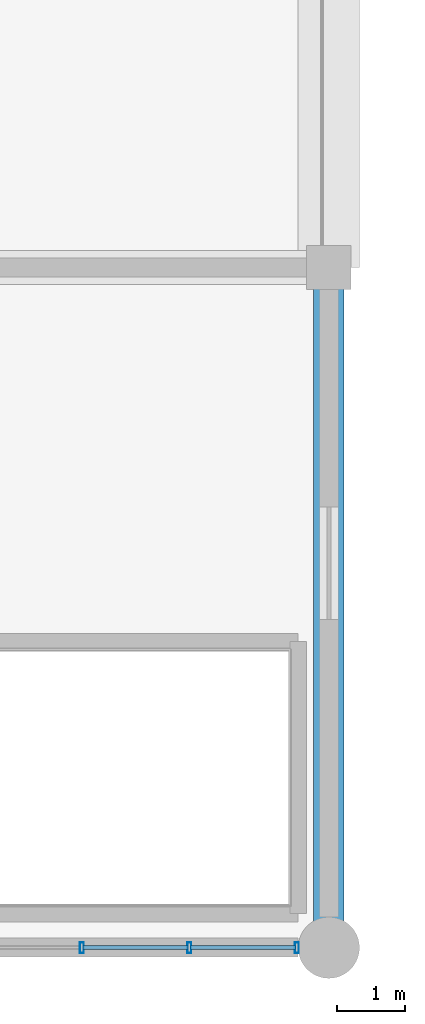
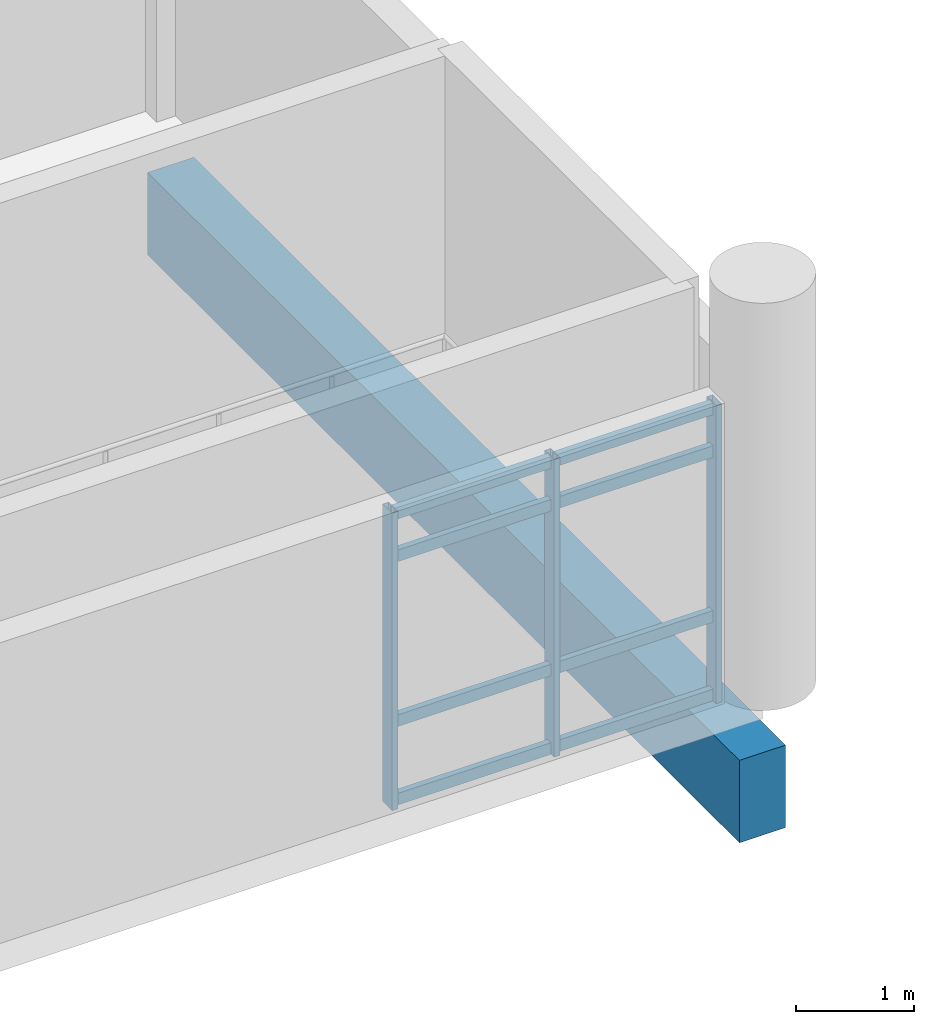
# One storey, part 12 of 111: 11 members, 1 beam, 1 element without a shape of its own.
"""IFC4 building model written with IfcOpenShell, lengths in metres."""

import ifcopenshell
import ifcopenshell.guid

model = None  # the IFC model being written
_history = None  # IfcOwnerHistory: only IFC2X3 demands one
_inside = {}  # id of a spatial element -> (the spatial element, [elements in it])
_under = {}  # id of a project, library or spatial element -> (it, [spatial elements below it])
_declared = {}  # id of a project -> (the project, [libraries it declares])
_typed = {}  # id of a type object -> (the type object, [elements of that type])
_made_of = {}  # id of a material, layer set ... -> (it, [elements and type objects made of it])


def new_model(schema):
    """Start an empty IFC model of exactly this schema.

    Asked for "IFC4X3", IfcOpenShell would pick the latest addendum, in which some entities
    have other attributes; the version numbers below select the first issue.
    IFC2X3 requires an IfcOwnerHistory on every rooted entity: one is made here for all.
    """
    global model, _history
    if schema == "IFC4X3":
        model = ifcopenshell.file(schema_version=(4, 3, 0, 0))
    else:
        model = ifcopenshell.file(schema=schema)
    _inside.clear()
    _under.clear()
    _declared.clear()
    _typed.clear()
    _made_of.clear()
    _history = None
    if model.schema == "IFC2X3":
        org = make("IfcOrganization", Name="unknown")
        user = make(
            "IfcPersonAndOrganization",
            ThePerson=make("IfcPerson", FamilyName="unknown"),
            TheOrganization=org,
        )
        app = make(
            "IfcApplication",
            ApplicationDeveloper=org,
            Version="unknown",
            ApplicationFullName="unknown",
            ApplicationIdentifier="unknown",
        )
        _history = make(
            "IfcOwnerHistory",
            OwningUser=user,
            OwningApplication=app,
            ChangeAction="ADDED",
            CreationDate=0,
        )
    return model


def make(cls, **values):
    """One entity of the class cls with the attributes given. An attribute that is None is left unset."""
    return model.create_entity(
        cls, **{name: value for name, value in values.items() if value is not None}
    )


def rooted(cls, **values):
    """An entity with a GlobalId (a new one), such as an element, a storey or a relation."""
    return make(cls, GlobalId=ifcopenshell.guid.new(), OwnerHistory=_history, **values)


def si_unit(unit_type, name, prefix=None):
    """IfcSIUnit, for example si_unit("LENGTHUNIT", "METRE", prefix="MILLI")."""
    return make("IfcSIUnit", UnitType=unit_type, Prefix=prefix, Name=name)


def assignment(units):
    """IfcUnitAssignment: the units of a project."""
    return None if units is None else make("IfcUnitAssignment", Units=units)


def point(xyz):
    """IfcCartesianPoint."""
    return None if xyz is None else make("IfcCartesianPoint", Coordinates=xyz)


def direction(xyz):
    """IfcDirection."""
    return None if xyz is None else make("IfcDirection", DirectionRatios=xyz)


def frame(location, z_axis=None, x_axis=None):
    """IfcAxis2Placement3D, a coordinate frame: its origin and axes. An axis left out is left unset."""
    return make(
        "IfcAxis2Placement3D",
        Location=point(location),
        Axis=direction(z_axis),
        RefDirection=direction(x_axis),
    )


def frame_2d(location, x_axis=None):
    """IfcAxis2Placement2D, a coordinate frame in the plane: its origin and x axis."""
    return make(
        "IfcAxis2Placement2D", Location=point(location), RefDirection=direction(x_axis)
    )


def origin():
    """The frame at (0, 0, 0) with its axes left unset."""
    return frame((0.0, 0.0, 0.0))


def origin_2d():
    """The frame at (0, 0) in the plane with its x axis left unset."""
    return frame_2d((0.0, 0.0))


def place(relative_to, where):
    """IfcLocalPlacement: puts the frame where relative to a parent placement (None: the world)."""
    return make(
        "IfcLocalPlacement", PlacementRelTo=relative_to, RelativePlacement=where
    )


def context(
    kind, dimensions, precision=None, world=None, true_north=None, identifier=None
):
    """IfcGeometricRepresentationContext, for example the 3D "Model" context."""
    return make(
        "IfcGeometricRepresentationContext",
        ContextIdentifier=identifier,
        ContextType=kind,
        CoordinateSpaceDimension=dimensions,
        Precision=precision,
        WorldCoordinateSystem=world,
        TrueNorth=true_north,
    )


def subcontext(parent, identifier, kind, view, scale=None):
    """IfcGeometricRepresentationSubContext, for example "Body" below "Model"."""
    return make(
        "IfcGeometricRepresentationSubContext",
        ContextIdentifier=identifier,
        ContextType=kind,
        ParentContext=parent,
        TargetScale=scale,
        TargetView=view,
    )


def project(units=None, contexts=None):
    """IfcProject with its units and contexts."""
    return rooted(
        "IfcProject",
        Name="project",
        RepresentationContexts=contexts,
        UnitsInContext=assignment(units),
    )


def spatial(cls, under=None, at=None, **own):
    """A site, building, storey or space (cls), placed at a placement, below another one or the project."""
    s = rooted(cls, ObjectPlacement=at, **own)
    if under is not None:
        _under.setdefault(under.id(), (under, []))[1].append(s)
    return s


def profile(cls, at=None, kind="AREA", **sizes):
    """A parametric profile (cls). Its sizes go by their IFC names, for example OverallWidth=200.0."""
    return make(cls, ProfileType=kind, Position=at, **sizes)


def rectangle(**sizes):
    """IfcRectangleProfileDef."""
    return profile("IfcRectangleProfileDef", **sizes)


def hollow_rectangle(**sizes):
    """IfcRectangleHollowProfileDef."""
    return profile("IfcRectangleHollowProfileDef", **sizes)


def extrude(swept, where, along, depth):
    """IfcExtrudedAreaSolid: the profile swept, set in the frame where, extruded along a direction by depth."""
    return make(
        "IfcExtrudedAreaSolid",
        SweptArea=swept,
        Position=where,
        ExtrudedDirection=direction(along),
        Depth=depth,
    )


def shape(context_of_items, identifier, shape_type, items):
    """IfcShapeRepresentation: the items that make up one representation, for example the "Body"."""
    return make(
        "IfcShapeRepresentation",
        ContextOfItems=context_of_items,
        RepresentationIdentifier=identifier,
        RepresentationType=shape_type,
        Items=items,
    )


def material(Name=None, Category=None):
    """IfcMaterial."""
    return make("IfcMaterial", Name=Name, Category=Category)


def layer(
    of_material, thickness, ventilated=None, Name=None, Category=None, Priority=None
):
    """IfcMaterialLayer: one layer of a wall or slab, of a material (None: an air gap)."""
    return make(
        "IfcMaterialLayer",
        Material=of_material,
        LayerThickness=thickness,
        IsVentilated=ventilated,
        Name=Name,
        Category=Category,
        Priority=Priority,
    )


def layer_set(layers, Name=None):
    """IfcMaterialLayerSet."""
    return make("IfcMaterialLayerSet", MaterialLayers=layers, LayerSetName=Name)


def material_profile(
    of_material, cross_section, Name=None, Category=None, Priority=None
):
    """IfcMaterialProfile: a cross section and its material."""
    return make(
        "IfcMaterialProfile",
        Name=Name,
        Material=of_material,
        Profile=cross_section,
        Priority=Priority,
        Category=Category,
    )


def profile_set(profiles, Name=None, composite=None):
    """IfcMaterialProfileSet."""
    return make(
        "IfcMaterialProfileSet",
        Name=Name,
        MaterialProfiles=profiles,
        CompositeProfile=composite,
    )


def made_of(thing, what):
    """Note that an element or type object is made of a material, layer set ...; save() writes the relation."""
    if what is not None:
        _made_of.setdefault(what.id(), (what, []))[1].append(thing)
    return thing


def type_object(cls, material=None, **own):
    """A type object (cls), such as IfcWallType, which elements share."""
    return made_of(rooted(cls, **own), material)


def element(
    cls,
    number,
    at=None,
    inside=None,
    cuts=None,
    type_object=None,
    material=None,
    context=None,
    identifier="Body",
    shape_type=None,
    held_by="IfcProductDefinitionShape",
    body=None,
    shapes=None,
    **own,
):
    """One element of the class cls, such as IfcWall. Its Tag is "e" and its number.

    at: its placement. inside: the storey or other place that contains it. cuts: it is an
    opening in that element (IfcRelVoidsElement). A single representation is given by context,
    identifier, shape_type and body (its items); several are given by shapes. held_by: the class
    of the entity that holds the representations. save() writes the other relations.
    """
    e = rooted(cls, Tag="e%d" % number, ObjectPlacement=at, **own)
    if body is not None:
        shapes = [shape(context, identifier, shape_type, body)]
    if shapes is not None:
        e.Representation = make(held_by, Representations=shapes)
    if inside is not None:
        _inside.setdefault(inside.id(), (inside, []))[1].append(e)
    if cuts is not None:
        rooted(
            "IfcRelVoidsElement", RelatingBuildingElement=cuts, RelatedOpeningElement=e
        )
    if type_object is not None:
        _typed.setdefault(type_object.id(), (type_object, []))[1].append(e)
    return made_of(e, material)


def aggregate(whole, parts):
    """IfcRelAggregates: a whole, such as a stair, and the parts it consists of."""
    return rooted("IfcRelAggregates", RelatingObject=whole, RelatedObjects=parts)


def save(model, path):
    """Write the relations noted so far, then the file.

    IfcRelAggregates (storeys below a building ...), IfcRelContainedInSpatialStructure (elements
    in a storey), IfcRelDefinesByType, IfcRelAssociatesMaterial and IfcRelDeclares: one each for
    every whole, place, type object, material and project.
    """
    for whole, parts in _under.values():
        aggregate(whole, parts)
    for where, things in _inside.values():
        rooted(
            "IfcRelContainedInSpatialStructure",
            RelatedElements=things,
            RelatingStructure=where,
        )
    for kind, things in _typed.values():
        rooted("IfcRelDefinesByType", RelatedObjects=things, RelatingType=kind)
    for what, things in _made_of.values():
        rooted("IfcRelAssociatesMaterial", RelatedObjects=things, RelatingMaterial=what)
    for by, libraries in _declared.values():
        rooted("IfcRelDeclares", RelatingContext=by, RelatedDefinitions=libraries)
    model.write(path)


model = new_model("IFC4")

# Units and contexts
model_context = context("Model", 3, precision=1e-05, world=origin(), true_north=direction((0.0, 1.0)))
body_context = subcontext(model_context, "Body", "Model", "MODEL_VIEW")
ifc_project = project(units=[si_unit("LENGTHUNIT", "METRE"), si_unit("AREAUNIT", "SQUARE_METRE"), si_unit("VOLUMEUNIT", "CUBIC_METRE"), si_unit("PLANEANGLEUNIT", "RADIAN"), si_unit("MASSUNIT", "GRAM", prefix="KILO")], contexts=[model_context])

# Site, building, storey
site_placement = place(None, origin())
site = spatial("IfcSite", under=ifc_project, at=site_placement, CompositionType="ELEMENT")
building_placement = place(site_placement, origin())
building = spatial("IfcBuilding", under=site, at=building_placement, Name="Mersad Railyard Sports Hall", CompositionType="ELEMENT")
storey_placement = place(building_placement, frame((0.0, 0.0, 9.0)))
storey = spatial("IfcBuildingStorey", under=building, at=storey_placement, Name="L02", CompositionType="ELEMENT", Elevation=9.0)

# Curtain wall, members
ifc_material_1 = material(Name="Aluminium 6063-T6", Category="aluminium")
ifc_layer = layer(ifc_material_1, 0.159912109375)
ifc_layer_set = layer_set([ifc_layer], Name="Aluminium 6063-T6")
curtain_wall_type = type_object("IfcCurtainWallType", Name="ARC-CW-CW06", PredefinedType="USERDEFINED", material=ifc_layer_set)
curtain_wall_placement = place(storey_placement, origin())
curtain_wall = element("IfcCurtainWall", 1, at=curtain_wall_placement, inside=storey, type_object=curtain_wall_type, Name="Curtain wall CW06-0030", ObjectType="CURTAIN WALL", PredefinedType="USERDEFINED")
ifc_material_profile_1 = material_profile(ifc_material_1, hollow_rectangle(XDim=0.06005859375, YDim=0.159912109375, WallThickness=0.00390625, at=origin_2d()), Name="AL MULLION 60x160x4")
ifc_profile_set_1 = profile_set([ifc_material_profile_1], Name="Aluminium 6063-T6")
member_type_1 = type_object("IfcMemberType", Name="ARC-CW-MUL01", PredefinedType="MULLION", material=ifc_profile_set_1)
member_1_placement = place(storey_placement, frame((90.530029296875, 3.5, -0.02001953125), z_axis=(0.0, 0.0, 1.0), x_axis=(1.0, 0.0, 0.0)))
member_1 = element("IfcMember", 2, at=member_1_placement, type_object=member_type_1, Name="CW06 Mullion 1", PredefinedType="MULLION", context=body_context, shape_type="SweptSolid", body=[
    extrude(hollow_rectangle(XDim=0.06005859375, YDim=0.159912109375, WallThickness=0.00390625, at=origin_2d()), origin(), (0.0, 0.0, 1.0), 3.070068359375),
])
member_2_placement = place(storey_placement, frame((88.949951171875, 3.5, -0.02001953125), z_axis=(0.0, 0.0, 1.0), x_axis=(1.0, 0.0, 0.0)))
member_2 = element("IfcMember", 3, at=member_2_placement, type_object=member_type_1, Name="CW06 Mullion 2", PredefinedType="MULLION", context=body_context, shape_type="SweptSolid", body=[
    extrude(hollow_rectangle(XDim=0.06005859375, YDim=0.159912109375, WallThickness=0.00390625, at=origin_2d()), origin(), (0.0, 0.0, 1.0), 3.070068359375),
])
member_3_placement = place(storey_placement, frame((87.3701171875, 3.5, -0.02001953125), z_axis=(0.0, 0.0, 1.0), x_axis=(1.0, 0.0, 0.0)))
member_3 = element("IfcMember", 4, at=member_3_placement, type_object=member_type_1, Name="CW06 Mullion 3", PredefinedType="MULLION", context=body_context, shape_type="SweptSolid", body=[
    extrude(hollow_rectangle(XDim=0.06005859375, YDim=0.159912109375, WallThickness=0.00390625, at=origin_2d()), origin(), (0.0, 0.0, 1.0), 3.070068359375),
])
ifc_material_profile_2 = material_profile(ifc_material_1, hollow_rectangle(XDim=0.06005859375, YDim=0.1201171875, WallThickness=0.00390625, at=origin_2d()), Name="AL TRANSOM 60x120x4")
ifc_profile_set_2 = profile_set([ifc_material_profile_2], Name="Aluminium 6063-T6")
member_type_2 = type_object("IfcMemberType", Name="ARC-CW-TRN01", PredefinedType="USERDEFINED", material=ifc_profile_set_2)
member_4_placement = place(storey_placement, frame((90.510009765625, 3.5, 0.0400390625), z_axis=(-1.0, 0.0, 0.0), x_axis=(0.0, -1.0, 0.0)))
member_4 = element("IfcMember", 5, at=member_4_placement, type_object=member_type_2, Name="CW06 Transom 1-1", ObjectType="TRANSOM", PredefinedType="USERDEFINED", context=body_context, shape_type="SweptSolid", body=[
    extrude(hollow_rectangle(XDim=0.06005859375, YDim=0.1201171875, WallThickness=0.00390625, at=origin_2d()), origin(), (0.0, 0.0, 1.0), 1.5400390625),
])
member_5_placement = place(storey_placement, frame((88.929931640625, 3.5, 0.0400390625), z_axis=(-1.0, 0.0, 0.0), x_axis=(0.0, -1.0, 0.0)))
member_5 = element("IfcMember", 6, at=member_5_placement, type_object=member_type_2, Name="CW06 Transom 1-2", ObjectType="TRANSOM", PredefinedType="USERDEFINED", context=body_context, shape_type="SweptSolid", body=[
    extrude(hollow_rectangle(XDim=0.06005859375, YDim=0.1201171875, WallThickness=0.00390625, at=origin_2d()), origin(), (0.0, 0.0, 1.0), 1.5400390625),
])
member_6_placement = place(storey_placement, frame((90.510009765625, 3.5, 0.85009765625), z_axis=(-1.0, 0.0, 0.0), x_axis=(0.0, -1.0, 0.0)))
member_6 = element("IfcMember", 7, at=member_6_placement, type_object=member_type_2, Name="CW06 Transom 2-1", ObjectType="TRANSOM", PredefinedType="USERDEFINED", context=body_context, shape_type="SweptSolid", body=[
    extrude(hollow_rectangle(XDim=0.06005859375, YDim=0.1201171875, WallThickness=0.00390625, at=origin_2d()), origin(), (0.0, 0.0, 1.0), 1.5400390625),
])
member_7_placement = place(storey_placement, frame((88.929931640625, 3.5, 0.85009765625), z_axis=(-1.0, 0.0, 0.0), x_axis=(0.0, -1.0, 0.0)))
member_7 = element("IfcMember", 8, at=member_7_placement, type_object=member_type_2, Name="CW06 Transom 2-2", ObjectType="TRANSOM", PredefinedType="USERDEFINED", context=body_context, shape_type="SweptSolid", body=[
    extrude(hollow_rectangle(XDim=0.06005859375, YDim=0.1201171875, WallThickness=0.00390625, at=origin_2d()), origin(), (0.0, 0.0, 1.0), 1.5400390625),
])
member_8_placement = place(storey_placement, frame((90.510009765625, 3.5, 2.550048828125), z_axis=(-1.0, 0.0, 0.0), x_axis=(0.0, -1.0, 0.0)))
member_8 = element("IfcMember", 9, at=member_8_placement, type_object=member_type_2, Name="CW06 Transom 3-1", ObjectType="TRANSOM", PredefinedType="USERDEFINED", context=body_context, shape_type="SweptSolid", body=[
    extrude(hollow_rectangle(XDim=0.06005859375, YDim=0.1201171875, WallThickness=0.00390625, at=origin_2d()), origin(), (0.0, 0.0, 1.0), 1.5400390625),
])
member_9_placement = place(storey_placement, frame((88.929931640625, 3.5, 2.550048828125), z_axis=(-1.0, 0.0, 0.0), x_axis=(0.0, -1.0, 0.0)))
member_9 = element("IfcMember", 10, at=member_9_placement, type_object=member_type_2, Name="CW06 Transom 3-2", ObjectType="TRANSOM", PredefinedType="USERDEFINED", context=body_context, shape_type="SweptSolid", body=[
    extrude(hollow_rectangle(XDim=0.06005859375, YDim=0.1201171875, WallThickness=0.00390625, at=origin_2d()), origin(), (0.0, 0.0, 1.0), 1.5400390625),
])
member_10_placement = place(storey_placement, frame((90.510009765625, 3.5, 2.989990234375), z_axis=(-1.0, 0.0, 0.0), x_axis=(0.0, -1.0, 0.0)))
member_10 = element("IfcMember", 11, at=member_10_placement, type_object=member_type_2, Name="CW06 Transom 4-1", ObjectType="TRANSOM", PredefinedType="USERDEFINED", context=body_context, shape_type="SweptSolid", body=[
    extrude(hollow_rectangle(XDim=0.06005859375, YDim=0.1201171875, WallThickness=0.00390625, at=origin_2d()), origin(), (0.0, 0.0, 1.0), 1.5400390625),
])
member_11_placement = place(storey_placement, frame((88.929931640625, 3.5, 2.989990234375), z_axis=(-1.0, 0.0, 0.0), x_axis=(0.0, -1.0, 0.0)))
member_11 = element("IfcMember", 12, at=member_11_placement, type_object=member_type_2, Name="CW06 Transom 4-2", ObjectType="TRANSOM", PredefinedType="USERDEFINED", context=body_context, shape_type="SweptSolid", body=[
    extrude(hollow_rectangle(XDim=0.06005859375, YDim=0.1201171875, WallThickness=0.00390625, at=origin_2d()), origin(), (0.0, 0.0, 1.0), 1.5400390625),
])
aggregate(curtain_wall, [member_1, member_2, member_3, member_4, member_5, member_6, member_7, member_8, member_9, member_10, member_11])

# Beam
ifc_material_2 = material(Name="Concrete C40/50", Category="concrete")
ifc_material_profile_3 = material_profile(ifc_material_2, rectangle(XDim=0.449951171875, YDim=0.85009765625, at=origin_2d()), Name="RC 450x850")
ifc_profile_set_3 = profile_set([ifc_material_profile_3], Name="Concrete C40/50")
beam_type = type_object("IfcBeamType", Name="STR-BM-B02", PredefinedType="BEAM", material=ifc_profile_set_3)
beam_placement = place(storey_placement, frame((91.0, 3.5, -1.175048828125), z_axis=(0.0, 1.0, 0.0), x_axis=(-1.0, 0.0, 0.0)))
element("IfcBeam", 13, at=beam_placement, inside=storey, type_object=beam_type, Name="Beam B02-0438", PredefinedType="BEAM", context=body_context, shape_type="SweptSolid", body=[
    extrude(rectangle(XDim=0.449951171875, YDim=0.85009765625, at=origin_2d()), origin(), (0.0, 0.0, 1.0), 10.0),
])

save(model, "model.ifc")
